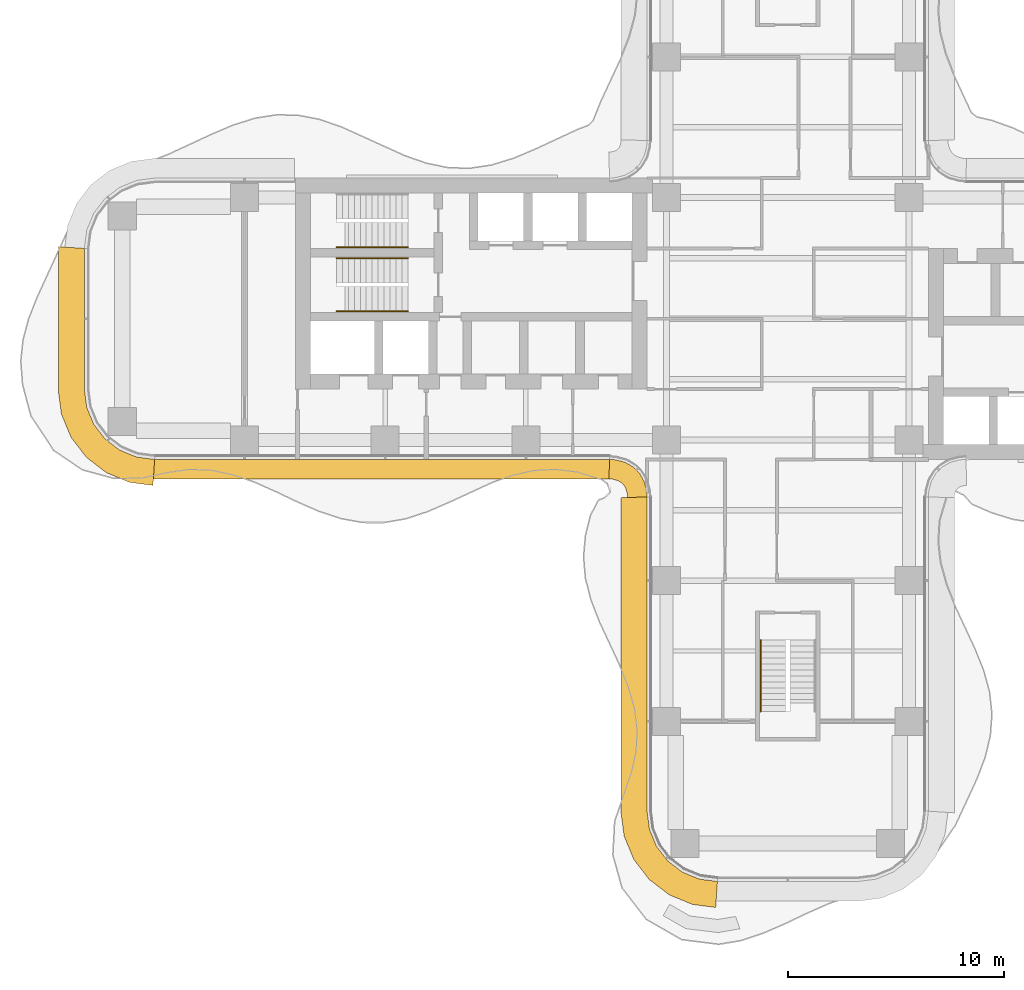
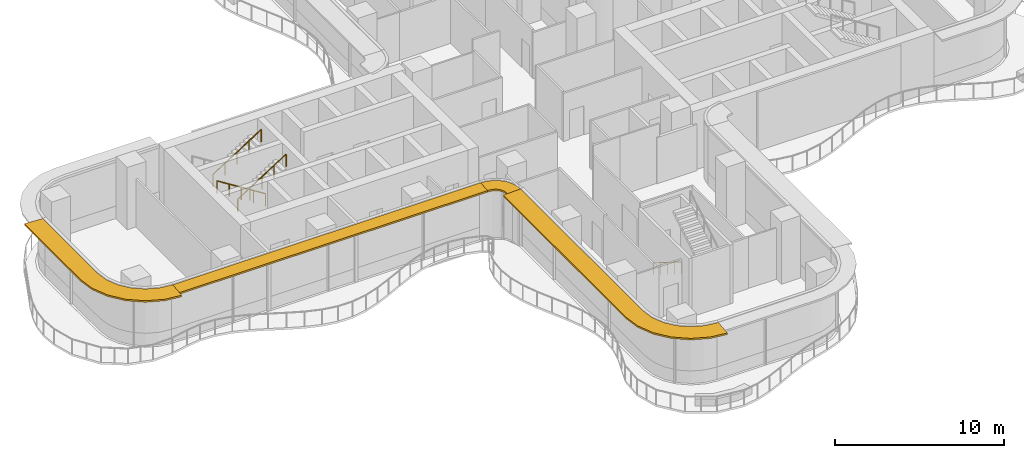
# One storey, part 19 of 20: 4 railings, 4 shading devices.
"""IFC4 building model written with IfcOpenShell, lengths in metres."""

from ifc_helpers import new_model, si_unit, direction, frame, origin, origin_2d, place, context, subcontext, project, spatial, polyline, circle, outline, extrude, source, transform, mapped, material, layer, layer_set, type_object, element, save


model = new_model("IFC4")

# Units and contexts
model_context = context("Model", 3, precision=1e-05, world=origin(), true_north=direction((0.0, 1.0)))
body_context = subcontext(model_context, "Body", "Model", "MODEL_VIEW")
ifc_project = project(units=[si_unit("LENGTHUNIT", "METRE"), si_unit("AREAUNIT", "SQUARE_METRE"), si_unit("VOLUMEUNIT", "CUBIC_METRE"), si_unit("PLANEANGLEUNIT", "RADIAN"), si_unit("MASSUNIT", "GRAM", prefix="KILO")], contexts=[model_context])

# Site, building, storey
site_placement = place(None, origin())
site = spatial("IfcSite", under=ifc_project, at=site_placement, CompositionType="ELEMENT")
building_placement = place(site_placement, origin())
building = spatial("IfcBuilding", under=site, at=building_placement, Name="Trellis Farm Tower", CompositionType="ELEMENT")
storey_placement = place(building_placement, frame((0.0, 0.0, 129.0)))
storey = spatial("IfcBuildingStorey", under=building, at=storey_placement, Name="L27", CompositionType="ELEMENT", Elevation=129.0)

# Railings
ifc_material_1 = material(Name="Stainless steel", Category="steel")
railing_type = type_object("IfcRailingType", Name="STAIR HANDRAIL 900", PredefinedType="HANDRAIL", material=ifc_material_1)
shared_shape_1 = source(origin(), body_context, "Body", "SweptSolid", [
    extrude(circle(Radius=0.02392578125, at=origin_2d()), frame((0.0, 0.0, 0.8759765625), z_axis=(0.0, -0.846319618018, 0.532675421018), x_axis=(1.0, 0.0, 0.0)), (0.0, 0.0, 1.0), 3.89892578125),
    extrude(circle(Radius=0.02099609375, at=origin_2d()), origin(), (0.0, 0.0, 1.0), 0.851806640625),
    extrude(circle(Radius=0.02099609375, at=origin_2d()), frame((0.0, -0.824951171875, 0.519287109375)), (0.0, 0.0, 1.0), 0.851806640625),
    extrude(circle(Radius=0.02099609375, at=origin_2d()), frame((0.0, -1.64990234375, 1.03857421875)), (0.0, 0.0, 1.0), 0.851806640625),
    extrude(circle(Radius=0.02099609375, at=origin_2d()), frame((0.0, -2.474853515625, 1.5576171875)), (0.0, 0.0, 1.0), 0.851806640625),
    extrude(circle(Radius=0.02099609375, at=origin_2d()), frame((0.0, -3.2998046875, 2.076904296875)), (0.0, 0.0, 1.0), 0.851806640625),
])
railing_1_placement = place(storey_placement, frame((-1.25, -14.85009765625, 0.173095703125)))
element("IfcRailing", 1, at=railing_1_placement, inside=storey, type_object=railing_type, Name="Stair handrail", PredefinedType="HANDRAIL", context=body_context, shape_type="MappedRepresentation", body=[
    mapped(shared_shape_1, transform((0.0, 0.0, 0.0))),
])
shared_shape_2 = source(origin(), body_context, "Body", "SweptSolid", [
    extrude(circle(Radius=0.02392578125, at=origin_2d()), frame((0.0, 0.0, 0.8759765625), z_axis=(0.846337383501, 0.0, 0.532647194011), x_axis=(0.0, 1.0, 0.0)), (0.0, 0.0, 1.0), 3.899169921875),
    extrude(circle(Radius=0.02099609375, at=origin_2d()), origin(), (0.0, 0.0, 1.0), 0.851806640625),
    extrude(circle(Radius=0.02099609375, at=origin_2d()), frame((0.824951171875, 0.0, 0.519287109375)), (0.0, 0.0, 1.0), 0.851806640625),
    extrude(circle(Radius=0.02099609375, at=origin_2d()), frame((1.64990234375, 0.0, 1.03857421875)), (0.0, 0.0, 1.0), 0.851806640625),
    extrude(circle(Radius=0.02099609375, at=origin_2d()), frame((2.47509765625, 0.0, 1.5576171875)), (0.0, 0.0, 1.0), 0.851806640625),
    extrude(circle(Radius=0.02099609375, at=origin_2d()), frame((3.300048828125, 0.0, 2.076904296875)), (0.0, 0.0, 1.0), 0.851806640625),
])
for number, where, name in (
    (2, (-20.85009765625, 3.300048828125, 2.423095703125), "Stair handrail"),
    (3, (-20.85009765625, 0.35009765625, 2.423095703125), "Stair handrail"),
):
    element("IfcRailing", number, at=place(storey_placement, frame(where)), inside=storey, type_object=railing_type, Name=name, PredefinedType="HANDRAIL", context=body_context, shape_type="MappedRepresentation", body=[
        mapped(shared_shape_2, transform((0.0, 0.0, 0.0))),
    ])
shared_shape_3 = source(origin(), body_context, "Body", "SweptSolid", [
    extrude(circle(Radius=0.02392578125, at=origin_2d()), frame((0.0, 0.0, 0.8759765625), z_axis=(-0.846337383501, 0.0, 0.532647194011), x_axis=(0.0, -1.0, 0.0)), (0.0, 0.0, 1.0), 3.899169921875),
    extrude(circle(Radius=0.02099609375, at=origin_2d()), origin(), (0.0, 0.0, 1.0), 0.851806640625),
    extrude(circle(Radius=0.02099609375, at=origin_2d()), frame((-0.824951171875, 0.0, 0.519287109375)), (0.0, 0.0, 1.0), 0.851806640625),
    extrude(circle(Radius=0.02099609375, at=origin_2d()), frame((-1.64990234375, 0.0, 1.03857421875)), (0.0, 0.0, 1.0), 0.851806640625),
    extrude(circle(Radius=0.02099609375, at=origin_2d()), frame((-2.47509765625, 0.0, 1.5576171875)), (0.0, 0.0, 1.0), 0.851806640625),
    extrude(circle(Radius=0.02099609375, at=origin_2d()), frame((-3.300048828125, 0.0, 2.076904296875)), (0.0, 0.0, 1.0), 0.851806640625),
])
railing_2_placement = place(storey_placement, frame((-17.550048828125, 2.800048828125, 0.173095703125)))
element("IfcRailing", 4, at=railing_2_placement, inside=storey, type_object=railing_type, Name="Stair handrail", PredefinedType="HANDRAIL", context=body_context, shape_type="MappedRepresentation", body=[
    mapped(shared_shape_3, transform((0.0, 0.0, 0.0))),
])

# Shading devices
ifc_material_2 = material(Name="Aluminium extrusion 6063-T6", Category="aluminium")
ifc_layer_1 = layer(ifc_material_2, 0.1201171875)
ifc_layer_set_1 = layer_set([ifc_layer_1], Name="SUNSHADE BLADE 900")
shading_device_type_1 = type_object("IfcShadingDeviceType", Name="SUNSHADE BLADE 900", PredefinedType="USERDEFINED", material=ifc_layer_set_1)
shared_shape_4 = source(origin(), body_context, "Body", "SweptSolid", [
    extrude(outline(polyline([(-29.30908203125, -7.39990234375), (-8.2607421875, -7.39990234375), (-8.2314453125, -6.5), (-29.25, -6.5), (-29.30908203125, -7.39990234375)])), origin(), (0.0, 0.0, 1.0), 0.119873046875),
])
placement = place(storey_placement, frame((0.0, 0.0, 4.090087890625)))
element("IfcShadingDevice", 5, at=placement, inside=storey, type_object=shading_device_type_1, Name="SD1 001", ObjectType="SUNSHADE", PredefinedType="USERDEFINED", context=body_context, shape_type="MappedRepresentation", body=[
    mapped(shared_shape_4, transform((0.0, 0.0, 0.0))),
])
shared_shape_5 = source(origin(), body_context, "Body", "SweptSolid", [
    extrude(outline(polyline([(-8.2607421875, -7.39990234375), (-8.107666015625, -7.409912109375), (-8.091552734375, -7.412109375), (-7.85595703125, -7.475341796875), (-7.697021484375, -7.567138671875), (-7.567138671875, -7.697021484375), (-7.475341796875, -7.85595703125), (-7.412109375, -8.091552734375), (-7.409912109375, -8.107666015625), (-7.39990234375, -8.2607421875), (-6.5, -8.2314453125), (-6.513916015625, -8.01953125), (-6.527587890625, -7.91552734375), (-6.63671875, -7.508544921875), (-6.846923828125, -7.144287109375), (-7.144287109375, -6.846923828125), (-7.508544921875, -6.63671875), (-7.91552734375, -6.527587890625), (-8.01953125, -6.513916015625), (-8.2314453125, -6.5), (-8.2607421875, -7.39990234375)])), origin(), (0.0, 0.0, 1.0), 0.119873046875),
])
element("IfcShadingDevice", 6, at=placement, inside=storey, type_object=shading_device_type_1, Name="SD1 002", ObjectType="SUNSHADE", PredefinedType="USERDEFINED", context=body_context, shape_type="MappedRepresentation", body=[
    mapped(shared_shape_5, transform((0.0, 0.0, 0.0))),
])
ifc_layer_2 = layer(ifc_material_2, 0.1201171875)
ifc_layer_set_2 = layer_set([ifc_layer_2], Name="SUNSHADE BLADE 1200")
shading_device_type_2 = type_object("IfcShadingDeviceType", Name="SUNSHADE BLADE 1200", PredefinedType="USERDEFINED", material=ifc_layer_set_2)
shared_shape_6 = source(origin(), body_context, "Body", "SweptSolid", [
    extrude(outline(polyline([(-33.699951171875, 3.32861328125), (-33.699951171875, -3.32861328125), (-33.558349609375, -4.404541015625), (-33.11279296875, -5.480224609375), (-32.404052734375, -6.404052734375), (-31.480224609375, -7.11279296875), (-30.404541015625, -7.558349609375), (-29.32861328125, -7.699951171875), (-29.25, -6.5), (-30.091064453125, -6.38916015625), (-30.875, -6.064697265625), (-31.548095703125, -5.548095703125), (-32.064697265625, -4.875), (-32.38916015625, -4.091064453125), (-32.5, -3.25), (-32.5, 3.25), (-33.699951171875, 3.32861328125)])), origin(), (0.0, 0.0, 1.0), 0.119873046875),
])
element("IfcShadingDevice", 7, at=placement, inside=storey, type_object=shading_device_type_2, Name="SD2 016", ObjectType="SUNSHADE", PredefinedType="USERDEFINED", context=body_context, shape_type="MappedRepresentation", body=[
    mapped(shared_shape_6, transform((0.0, 0.0, 0.0))),
])
shared_shape_7 = source(origin(), body_context, "Body", "SweptSolid", [
    extrude(outline(polyline([(-7.699951171875, -8.270751953125), (-7.699951171875, -22.82861328125), (-7.558349609375, -23.904541015625), (-7.11279296875, -24.980224609375), (-6.404052734375, -25.904052734375), (-5.480224609375, -26.61279296875), (-4.404541015625, -27.058349609375), (-3.32861328125, -27.199951171875), (-3.25, -26.0), (-4.091064453125, -25.88916015625), (-4.875, -25.564697265625), (-5.548095703125, -25.048095703125), (-6.064697265625, -24.375), (-6.38916015625, -23.591064453125), (-6.5, -22.75), (-6.5, -8.2314453125), (-7.699951171875, -8.270751953125)])), origin(), (0.0, 0.0, 1.0), 0.119873046875),
])
element("IfcShadingDevice", 8, at=placement, inside=storey, type_object=shading_device_type_2, Name="SD2 003", ObjectType="SUNSHADE", PredefinedType="USERDEFINED", context=body_context, shape_type="MappedRepresentation", body=[
    mapped(shared_shape_7, transform((0.0, 0.0, 0.0))),
])

save(model, "model.ifc")
